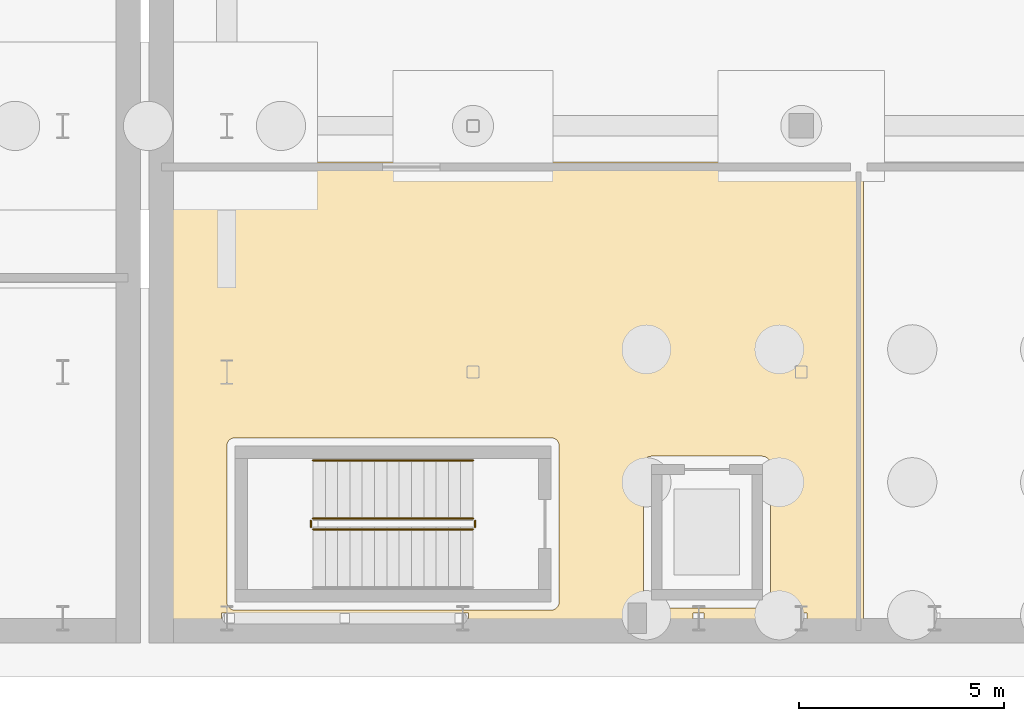
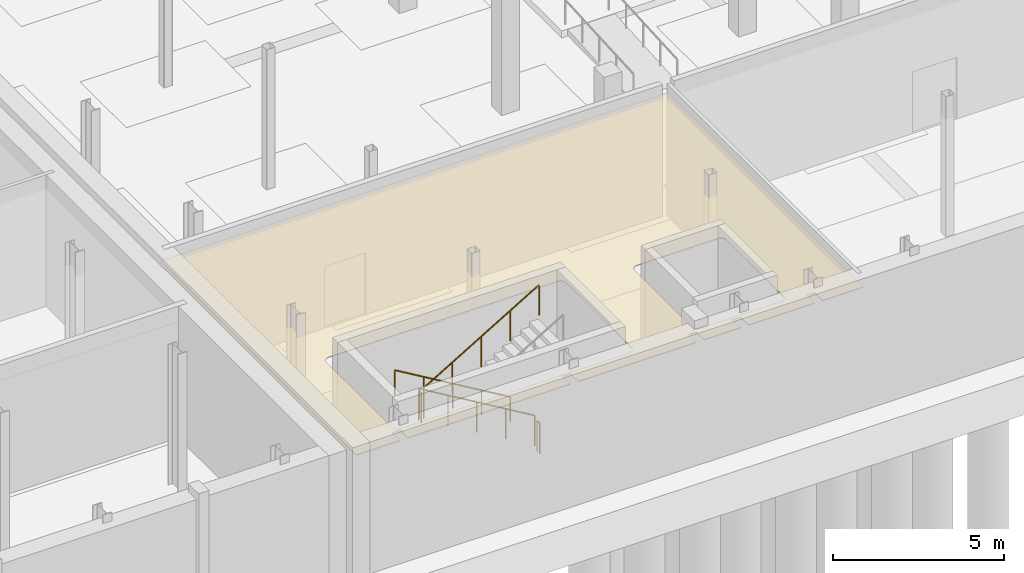
# One storey, part 34 of 47: 5 railings, 1 covering.
"""IFC4 building model written with IfcOpenShell, lengths in metres."""

import ifcopenshell
import ifcopenshell.guid

model = None  # the IFC model being written
_history = None  # IfcOwnerHistory: only IFC2X3 demands one
_inside = {}  # id of a spatial element -> (the spatial element, [elements in it])
_under = {}  # id of a project, library or spatial element -> (it, [spatial elements below it])
_declared = {}  # id of a project -> (the project, [libraries it declares])
_typed = {}  # id of a type object -> (the type object, [elements of that type])
_made_of = {}  # id of a material, layer set ... -> (it, [elements and type objects made of it])


def new_model(schema):
    """Start an empty IFC model of exactly this schema.

    Asked for "IFC4X3", IfcOpenShell would pick the latest addendum, in which some entities
    have other attributes; the version numbers below select the first issue.
    IFC2X3 requires an IfcOwnerHistory on every rooted entity: one is made here for all.
    """
    global model, _history
    if schema == "IFC4X3":
        model = ifcopenshell.file(schema_version=(4, 3, 0, 0))
    else:
        model = ifcopenshell.file(schema=schema)
    _inside.clear()
    _under.clear()
    _declared.clear()
    _typed.clear()
    _made_of.clear()
    _history = None
    if model.schema == "IFC2X3":
        org = make("IfcOrganization", Name="unknown")
        user = make(
            "IfcPersonAndOrganization",
            ThePerson=make("IfcPerson", FamilyName="unknown"),
            TheOrganization=org,
        )
        app = make(
            "IfcApplication",
            ApplicationDeveloper=org,
            Version="unknown",
            ApplicationFullName="unknown",
            ApplicationIdentifier="unknown",
        )
        _history = make(
            "IfcOwnerHistory",
            OwningUser=user,
            OwningApplication=app,
            ChangeAction="ADDED",
            CreationDate=0,
        )
    return model


def make(cls, **values):
    """One entity of the class cls with the attributes given. An attribute that is None is left unset."""
    return model.create_entity(
        cls, **{name: value for name, value in values.items() if value is not None}
    )


def rooted(cls, **values):
    """An entity with a GlobalId (a new one), such as an element, a storey or a relation."""
    return make(cls, GlobalId=ifcopenshell.guid.new(), OwnerHistory=_history, **values)


def si_unit(unit_type, name, prefix=None):
    """IfcSIUnit, for example si_unit("LENGTHUNIT", "METRE", prefix="MILLI")."""
    return make("IfcSIUnit", UnitType=unit_type, Prefix=prefix, Name=name)


def assignment(units):
    """IfcUnitAssignment: the units of a project."""
    return None if units is None else make("IfcUnitAssignment", Units=units)


def point(xyz):
    """IfcCartesianPoint."""
    return None if xyz is None else make("IfcCartesianPoint", Coordinates=xyz)


def direction(xyz):
    """IfcDirection."""
    return None if xyz is None else make("IfcDirection", DirectionRatios=xyz)


def frame(location, z_axis=None, x_axis=None):
    """IfcAxis2Placement3D, a coordinate frame: its origin and axes. An axis left out is left unset."""
    return make(
        "IfcAxis2Placement3D",
        Location=point(location),
        Axis=direction(z_axis),
        RefDirection=direction(x_axis),
    )


def frame_2d(location, x_axis=None):
    """IfcAxis2Placement2D, a coordinate frame in the plane: its origin and x axis."""
    return make(
        "IfcAxis2Placement2D", Location=point(location), RefDirection=direction(x_axis)
    )


def origin():
    """The frame at (0, 0, 0) with its axes left unset."""
    return frame((0.0, 0.0, 0.0))


def origin_2d():
    """The frame at (0, 0) in the plane with its x axis left unset."""
    return frame_2d((0.0, 0.0))


def place(relative_to, where):
    """IfcLocalPlacement: puts the frame where relative to a parent placement (None: the world)."""
    return make(
        "IfcLocalPlacement", PlacementRelTo=relative_to, RelativePlacement=where
    )


def context(
    kind, dimensions, precision=None, world=None, true_north=None, identifier=None
):
    """IfcGeometricRepresentationContext, for example the 3D "Model" context."""
    return make(
        "IfcGeometricRepresentationContext",
        ContextIdentifier=identifier,
        ContextType=kind,
        CoordinateSpaceDimension=dimensions,
        Precision=precision,
        WorldCoordinateSystem=world,
        TrueNorth=true_north,
    )


def subcontext(parent, identifier, kind, view, scale=None):
    """IfcGeometricRepresentationSubContext, for example "Body" below "Model"."""
    return make(
        "IfcGeometricRepresentationSubContext",
        ContextIdentifier=identifier,
        ContextType=kind,
        ParentContext=parent,
        TargetScale=scale,
        TargetView=view,
    )


def project(units=None, contexts=None):
    """IfcProject with its units and contexts."""
    return rooted(
        "IfcProject",
        Name="project",
        RepresentationContexts=contexts,
        UnitsInContext=assignment(units),
    )


def spatial(cls, under=None, at=None, **own):
    """A site, building, storey or space (cls), placed at a placement, below another one or the project."""
    s = rooted(cls, ObjectPlacement=at, **own)
    if under is not None:
        _under.setdefault(under.id(), (under, []))[1].append(s)
    return s


def polyline(points):
    """IfcPolyline through the points."""
    return make("IfcPolyline", Points=[point(p) for p in points])


def profile(cls, at=None, kind="AREA", **sizes):
    """A parametric profile (cls). Its sizes go by their IFC names, for example OverallWidth=200.0."""
    return make(cls, ProfileType=kind, Position=at, **sizes)


def circle(**sizes):
    """IfcCircleProfileDef."""
    return profile("IfcCircleProfileDef", **sizes)


def outline(outer, holes=None, kind="AREA"):
    """IfcArbitraryClosedProfileDef: a profile drawn as a closed curve; with holes, ...WithVoids."""
    if holes is None:
        return make("IfcArbitraryClosedProfileDef", ProfileType=kind, OuterCurve=outer)
    return make(
        "IfcArbitraryProfileDefWithVoids",
        ProfileType=kind,
        OuterCurve=outer,
        InnerCurves=holes,
    )


def extrude(swept, where, along, depth):
    """IfcExtrudedAreaSolid: the profile swept, set in the frame where, extruded along a direction by depth."""
    return make(
        "IfcExtrudedAreaSolid",
        SweptArea=swept,
        Position=where,
        ExtrudedDirection=direction(along),
        Depth=depth,
    )


def shape(context_of_items, identifier, shape_type, items):
    """IfcShapeRepresentation: the items that make up one representation, for example the "Body"."""
    return make(
        "IfcShapeRepresentation",
        ContextOfItems=context_of_items,
        RepresentationIdentifier=identifier,
        RepresentationType=shape_type,
        Items=items,
    )


def material(Name=None, Category=None):
    """IfcMaterial."""
    return make("IfcMaterial", Name=Name, Category=Category)


def layer(
    of_material, thickness, ventilated=None, Name=None, Category=None, Priority=None
):
    """IfcMaterialLayer: one layer of a wall or slab, of a material (None: an air gap)."""
    return make(
        "IfcMaterialLayer",
        Material=of_material,
        LayerThickness=thickness,
        IsVentilated=ventilated,
        Name=Name,
        Category=Category,
        Priority=Priority,
    )


def layer_set(layers, Name=None):
    """IfcMaterialLayerSet."""
    return make("IfcMaterialLayerSet", MaterialLayers=layers, LayerSetName=Name)


def made_of(thing, what):
    """Note that an element or type object is made of a material, layer set ...; save() writes the relation."""
    if what is not None:
        _made_of.setdefault(what.id(), (what, []))[1].append(thing)
    return thing


def type_object(cls, material=None, **own):
    """A type object (cls), such as IfcWallType, which elements share."""
    return made_of(rooted(cls, **own), material)


def element(
    cls,
    number,
    at=None,
    inside=None,
    cuts=None,
    type_object=None,
    material=None,
    context=None,
    identifier="Body",
    shape_type=None,
    held_by="IfcProductDefinitionShape",
    body=None,
    shapes=None,
    **own,
):
    """One element of the class cls, such as IfcWall. Its Tag is "e" and its number.

    at: its placement. inside: the storey or other place that contains it. cuts: it is an
    opening in that element (IfcRelVoidsElement). A single representation is given by context,
    identifier, shape_type and body (its items); several are given by shapes. held_by: the class
    of the entity that holds the representations. save() writes the other relations.
    """
    e = rooted(cls, Tag="e%d" % number, ObjectPlacement=at, **own)
    if body is not None:
        shapes = [shape(context, identifier, shape_type, body)]
    if shapes is not None:
        e.Representation = make(held_by, Representations=shapes)
    if inside is not None:
        _inside.setdefault(inside.id(), (inside, []))[1].append(e)
    if cuts is not None:
        rooted(
            "IfcRelVoidsElement", RelatingBuildingElement=cuts, RelatedOpeningElement=e
        )
    if type_object is not None:
        _typed.setdefault(type_object.id(), (type_object, []))[1].append(e)
    return made_of(e, material)


def aggregate(whole, parts):
    """IfcRelAggregates: a whole, such as a stair, and the parts it consists of."""
    return rooted("IfcRelAggregates", RelatingObject=whole, RelatedObjects=parts)


def save(model, path):
    """Write the relations noted so far, then the file.

    IfcRelAggregates (storeys below a building ...), IfcRelContainedInSpatialStructure (elements
    in a storey), IfcRelDefinesByType, IfcRelAssociatesMaterial and IfcRelDeclares: one each for
    every whole, place, type object, material and project.
    """
    for whole, parts in _under.values():
        aggregate(whole, parts)
    for where, things in _inside.values():
        rooted(
            "IfcRelContainedInSpatialStructure",
            RelatedElements=things,
            RelatingStructure=where,
        )
    for kind, things in _typed.values():
        rooted("IfcRelDefinesByType", RelatedObjects=things, RelatingType=kind)
    for what, things in _made_of.values():
        rooted("IfcRelAssociatesMaterial", RelatedObjects=things, RelatingMaterial=what)
    for by, libraries in _declared.values():
        rooted("IfcRelDeclares", RelatingContext=by, RelatedDefinitions=libraries)
    model.write(path)


model = new_model("IFC4")

# Units and contexts
model_context = context("Model", 3, precision=1e-05, world=origin(), true_north=direction((0.0, 1.0)))
body_context = subcontext(model_context, "Body", "Model", "MODEL_VIEW")
ifc_project = project(units=[si_unit("LENGTHUNIT", "METRE"), si_unit("AREAUNIT", "SQUARE_METRE"), si_unit("VOLUMEUNIT", "CUBIC_METRE"), si_unit("PLANEANGLEUNIT", "RADIAN"), si_unit("MASSUNIT", "GRAM", prefix="KILO")], contexts=[model_context])

# Site, building, storey
site_placement = place(None, origin())
site = spatial("IfcSite", under=ifc_project, at=site_placement, CompositionType="ELEMENT")
building_placement = place(site_placement, origin())
building = spatial("IfcBuilding", under=site, at=building_placement, Name="Cymarion Research Institute", CompositionType="ELEMENT")
storey_placement = place(building_placement, frame((0.0, 0.0, -5.0)))
storey = spatial("IfcBuildingStorey", under=building, at=storey_placement, Name="B1", CompositionType="ELEMENT", Elevation=-5.0)

# Covering
ifc_material_1 = material(Name="Micro-perforated mineral acoustic ceiling tile", Category="gypsum")
ifc_layer = layer(ifc_material_1, 0.030029296875)
ifc_layer_set = layer_set([ifc_layer], Name="Micro-perforated mineral acoustic ceiling tile")
covering_type = type_object("IfcCoveringType", Name="ACOUSTIC MICRO-PERFORATED SUSPENDED CEILING CLG-01", PredefinedType="CEILING", material=ifc_layer_set)
covering_placement = place(storey_placement, frame((0.0, 0.0, 4.14990234375)))
element("IfcCovering", 1, at=covering_placement, inside=storey, type_object=covering_type, Name="B1 B1 Heat-Pump & Chilled Water Plant Room acoustic ceiling", PredefinedType="CEILING", context=body_context, shape_type="SweptSolid", body=[
    extrude(outline(polyline([(70.735107421875, 5.18505859375), (70.735107421875, 5.635009765625), (70.465087890625, 5.635009765625), (70.465087890625, 5.18505859375), (68.235107421875, 5.18505859375), (68.235107421875, 5.635009765625), (67.965087890625, 5.635009765625), (67.965087890625, 5.18505859375), (66.735107421875, 5.18505859375), (66.735107421875, 5.635009765625), (66.465087890625, 5.635009765625), (66.465087890625, 5.18505859375), (62.485107421875, 5.18505859375), (62.485107421875, 5.635009765625), (62.215087890625, 5.635009765625), (62.215087890625, 5.18505859375), (56.735107421875, 5.18505859375), (56.735107421875, 5.635009765625), (56.465087890625, 5.635009765625), (56.465087890625, 5.18505859375), (54.985107421875, 5.18505859375), (54.985107421875, 16.614990234375), (72.114990234375, 16.614990234375), (72.114990234375, 5.18505859375), (70.735107421875, 5.18505859375)]), holes=[polyline([(66.910888671875, 5.75390625), (66.930419921875, 5.7509765625), (66.949951171875, 5.75), (69.64990234375, 5.75), (69.669677734375, 5.7509765625), (69.68896484375, 5.75390625), (69.7080078125, 5.758544921875), (69.7265625, 5.76513671875), (69.744384765625, 5.773681640625), (69.760986328125, 5.78369140625), (69.77685546875, 5.79541015625), (69.79150390625, 5.80859375), (69.8046875, 5.822998046875), (69.81640625, 5.8388671875), (69.826416015625, 5.855712890625), (69.834716796875, 5.87353515625), (69.84130859375, 5.891845703125), (69.84619140625, 5.910888671875), (69.84912109375, 5.930419921875), (69.85009765625, 5.949951171875), (69.85009765625, 9.25), (69.84912109375, 9.26953125), (69.84619140625, 9.2890625), (69.84130859375, 9.30810546875), (69.834716796875, 9.326416015625), (69.826416015625, 9.34423828125), (69.81640625, 9.361083984375), (69.8046875, 9.376953125), (69.79150390625, 9.391357421875), (69.77685546875, 9.404541015625), (69.760986328125, 9.416259765625), (69.744384765625, 9.426513671875), (69.7265625, 9.434814453125), (69.7080078125, 9.44140625), (69.68896484375, 9.4462890625), (69.669677734375, 9.448974609375), (69.64990234375, 9.449951171875), (66.949951171875, 9.449951171875), (66.930419921875, 9.448974609375), (66.910888671875, 9.4462890625), (66.891845703125, 9.44140625), (66.87353515625, 9.434814453125), (66.855712890625, 9.426513671875), (66.8388671875, 9.416259765625), (66.822998046875, 9.404541015625), (66.80859375, 9.391357421875), (66.79541015625, 9.376953125), (66.78369140625, 9.361083984375), (66.773681640625, 9.34423828125), (66.76513671875, 9.326416015625), (66.758544921875, 9.30810546875), (66.75390625, 9.2890625), (66.7509765625, 9.26953125), (66.75, 9.25), (66.75, 5.949951171875), (66.7509765625, 5.930419921875), (66.75390625, 5.910888671875), (66.758544921875, 5.891845703125), (66.76513671875, 5.87353515625), (66.773681640625, 5.855712890625), (66.78369140625, 5.8388671875), (66.79541015625, 5.822998046875), (66.80859375, 5.80859375), (66.822998046875, 5.79541015625), (66.8388671875, 5.78369140625), (66.855712890625, 5.773681640625), (66.87353515625, 5.76513671875), (66.891845703125, 5.758544921875), (66.910888671875, 5.75390625)]), polyline([(56.760986328125, 5.703857421875), (56.780517578125, 5.700927734375), (56.800048828125, 5.699951171875), (64.5, 5.699951171875), (64.51953125, 5.700927734375), (64.5390625, 5.703857421875), (64.55810546875, 5.70849609375), (64.576416015625, 5.715087890625), (64.59423828125, 5.7236328125), (64.611083984375, 5.733642578125), (64.626953125, 5.745361328125), (64.641357421875, 5.758544921875), (64.654541015625, 5.773193359375), (64.666259765625, 5.788818359375), (64.676513671875, 5.8056640625), (64.684814453125, 5.823486328125), (64.69140625, 5.841796875), (64.6962890625, 5.861083984375), (64.698974609375, 5.88037109375), (64.699951171875, 5.89990234375), (64.699951171875, 9.699951171875), (64.698974609375, 9.719482421875), (64.6962890625, 9.739013671875), (64.69140625, 9.758056640625), (64.684814453125, 9.776611328125), (64.676513671875, 9.794189453125), (64.666259765625, 9.81103515625), (64.654541015625, 9.826904296875), (64.641357421875, 9.84130859375), (64.626953125, 9.8544921875), (64.611083984375, 9.8662109375), (64.59423828125, 9.87646484375), (64.576416015625, 9.884765625), (64.55810546875, 9.891357421875), (64.5390625, 9.896240234375), (64.51953125, 9.89892578125), (64.5, 9.89990234375), (56.800048828125, 9.89990234375), (56.780517578125, 9.89892578125), (56.760986328125, 9.896240234375), (56.741943359375, 9.891357421875), (56.723388671875, 9.884765625), (56.705810546875, 9.87646484375), (56.68896484375, 9.8662109375), (56.673095703125, 9.8544921875), (56.65869140625, 9.84130859375), (56.6455078125, 9.826904296875), (56.6337890625, 9.81103515625), (56.62353515625, 9.794189453125), (56.615234375, 9.776611328125), (56.608642578125, 9.758056640625), (56.603759765625, 9.739013671875), (56.60107421875, 9.719482421875), (56.60009765625, 9.699951171875), (56.60009765625, 5.89990234375), (56.60107421875, 5.88037109375), (56.603759765625, 5.861083984375), (56.608642578125, 5.841796875), (56.615234375, 5.823486328125), (56.62353515625, 5.8056640625), (56.6337890625, 5.788818359375), (56.6455078125, 5.773193359375), (56.65869140625, 5.758544921875), (56.673095703125, 5.745361328125), (56.68896484375, 5.733642578125), (56.705810546875, 5.7236328125), (56.723388671875, 5.715087890625), (56.741943359375, 5.70849609375), (56.760986328125, 5.703857421875)])]), origin(), (0.0, 0.0, 1.0), 0.030029296875),
])

# Railings
ifc_material_2 = material(Name="Steel S355", Category="steel")
railing_type_1 = type_object("IfcRailingType", Name="PAINTED STEEL STAIR GUARDRAIL GR1 1100MM", PredefinedType="GUARDRAIL", material=ifc_material_2)
railing_1_placement = place(storey_placement, frame((62.60009765625, 7.929931640625, 0.178466796875)))
element("IfcRailing", 2, at=railing_1_placement, inside=storey, type_object=railing_type_1, Name="B1 ST3 stair guard 1", PredefinedType="GUARDRAIL", context=body_context, shape_type="SweptSolid", body=[
    extrude(circle(Radius=0.02392578125, at=origin_2d()), frame((0.0, 0.0, 1.076171875), z_axis=(-0.859291195736, 0.0, 0.511486696729), x_axis=(0.0, -1.0, 0.0)), (0.0, 0.0, 1.0), 4.538818359375),
    extrude(circle(Radius=0.02099609375, at=origin_2d()), origin(), (0.0, 0.0, 1.0), 1.052001953125),
    extrude(circle(Radius=0.02099609375, at=origin_2d()), frame((-0.97509765625, 0.0, 0.580322265625)), (0.0, 0.0, 1.0), 1.052001953125),
    extrude(circle(Radius=0.02099609375, at=origin_2d()), frame((-1.9501953125, 0.0, 1.16064453125)), (0.0, 0.0, 1.0), 1.052001953125),
    extrude(circle(Radius=0.02099609375, at=origin_2d()), frame((-2.925048828125, 0.0, 1.7412109375)), (0.0, 0.0, 1.0), 1.052001953125),
    extrude(circle(Radius=0.02099609375, at=origin_2d()), frame((-3.900146484375, 0.0, 2.321533203125)), (0.0, 0.0, 1.0), 1.052001953125),
])
railing_2_placement = place(storey_placement, frame((58.64990234375, 7.8798828125, 2.5)))
element("IfcRailing", 3, at=railing_2_placement, inside=storey, type_object=railing_type_1, Name="B1 ST3 stair guard 2", PredefinedType="GUARDRAIL", context=body_context, shape_type="SweptSolid", body=[
    extrude(circle(Radius=0.02392578125, at=origin_2d()), frame((0.0, 0.0, 1.076171875), z_axis=(0.0, -1.0, 0.0), x_axis=(1.0, 0.0, 0.0)), (0.0, 0.0, 1.0), 0.159912109375),
    extrude(circle(Radius=0.02099609375, at=origin_2d()), origin(), (0.0, 0.0, 1.0), 1.052001953125),
    extrude(circle(Radius=0.02099609375, at=origin_2d()), frame((0.0, -0.159912109375, 0.0)), (0.0, 0.0, 1.0), 1.052001953125),
])
railing_3_placement = place(storey_placement, frame((58.699951171875, 7.669921875, 2.678466796875)))
element("IfcRailing", 4, at=railing_3_placement, inside=storey, type_object=railing_type_1, Name="B1 ST3 stair guard 3", PredefinedType="GUARDRAIL", context=body_context, shape_type="SweptSolid", body=[
    extrude(circle(Radius=0.02392578125, at=origin_2d()), frame((0.0, 0.0, 1.076171875), z_axis=(0.859291195736, 0.0, 0.511486696729), x_axis=(0.0, 1.0, 0.0)), (0.0, 0.0, 1.0), 4.538818359375),
    extrude(circle(Radius=0.02099609375, at=origin_2d()), origin(), (0.0, 0.0, 1.0), 1.052001953125),
    extrude(circle(Radius=0.02099609375, at=origin_2d()), frame((0.97509765625, 0.0, 0.580322265625)), (0.0, 0.0, 1.0), 1.052001953125),
    extrude(circle(Radius=0.02099609375, at=origin_2d()), frame((1.9501953125, 0.0, 1.16064453125)), (0.0, 0.0, 1.0), 1.052001953125),
    extrude(circle(Radius=0.02099609375, at=origin_2d()), frame((2.925048828125, 0.0, 1.7412109375)), (0.0, 0.0, 1.0), 1.052001953125),
    extrude(circle(Radius=0.02099609375, at=origin_2d()), frame((3.900146484375, 0.0, 2.321533203125)), (0.0, 0.0, 1.0), 1.052001953125),
])
railing_4_placement = place(storey_placement, frame((62.64990234375, 7.8798828125, 0.0)))
element("IfcRailing", 5, at=railing_4_placement, inside=storey, type_object=railing_type_1, Name="B1 ST3 stair guard 4", PredefinedType="GUARDRAIL", context=body_context, shape_type="SweptSolid", body=[
    extrude(circle(Radius=0.02392578125, at=origin_2d()), frame((0.0, 0.0, 1.076171875), z_axis=(0.0, -1.0, 0.0), x_axis=(1.0, 0.0, 0.0)), (0.0, 0.0, 1.0), 0.159912109375),
    extrude(circle(Radius=0.02099609375, at=origin_2d()), origin(), (0.0, 0.0, 1.0), 1.052001953125),
    extrude(circle(Radius=0.02099609375, at=origin_2d()), frame((0.0, -0.159912109375, 0.0)), (0.0, 0.0, 1.0), 1.052001953125),
])
railing_type_2 = type_object("IfcRailingType", Name="STAINLESS STEEL STAIR HANDRAIL HR1 900MM", PredefinedType="HANDRAIL", material=ifc_material_2)
railing_5_placement = place(storey_placement, frame((62.60009765625, 9.35009765625, 0.178466796875)))
element("IfcRailing", 6, at=railing_5_placement, inside=storey, type_object=railing_type_2, Name="B1 ST3 stair handrail 1", PredefinedType="HANDRAIL", context=body_context, shape_type="SweptSolid", body=[
    extrude(circle(Radius=0.02392578125, at=origin_2d()), frame((0.0, 0.0, 0.8759765625), z_axis=(-0.859291195736, 0.0, 0.511486696729), x_axis=(0.0, -1.0, 0.0)), (0.0, 0.0, 1.0), 4.538818359375),
    extrude(circle(Radius=0.02099609375, at=origin_2d()), origin(), (0.0, 0.0, 1.0), 0.851806640625),
    extrude(circle(Radius=0.02099609375, at=origin_2d()), frame((-0.97509765625, 0.0, 0.580322265625)), (0.0, 0.0, 1.0), 0.851806640625),
    extrude(circle(Radius=0.02099609375, at=origin_2d()), frame((-1.9501953125, 0.0, 1.16064453125)), (0.0, 0.0, 1.0), 0.851806640625),
    extrude(circle(Radius=0.02099609375, at=origin_2d()), frame((-2.925048828125, 0.0, 1.7412109375)), (0.0, 0.0, 1.0), 0.851806640625),
    extrude(circle(Radius=0.02099609375, at=origin_2d()), frame((-3.900146484375, 0.0, 2.321533203125)), (0.0, 0.0, 1.0), 0.851806640625),
])

save(model, "model.ifc")
